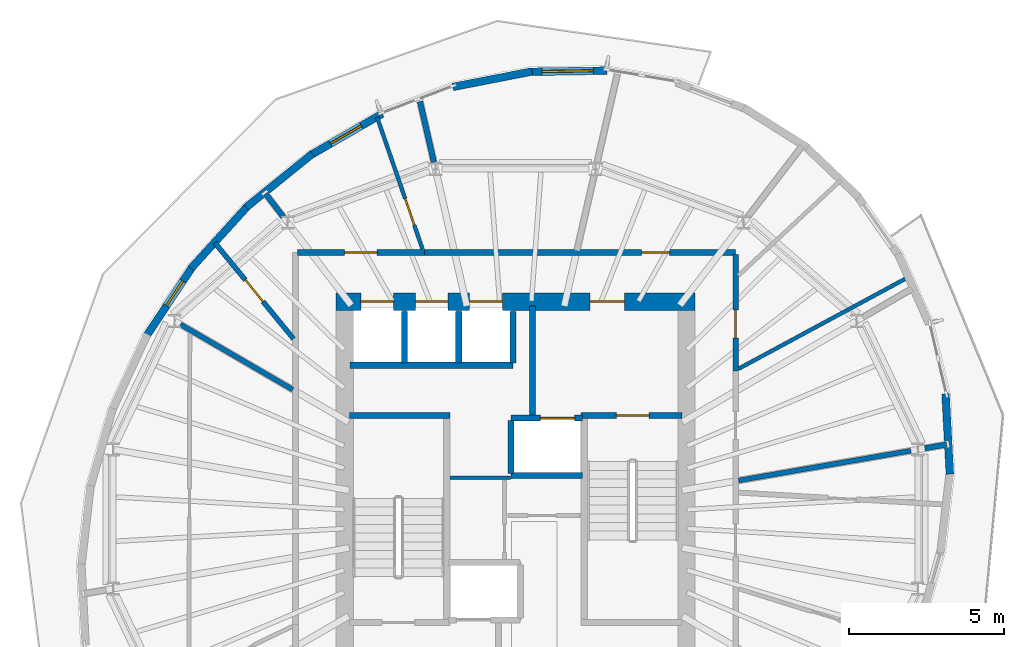
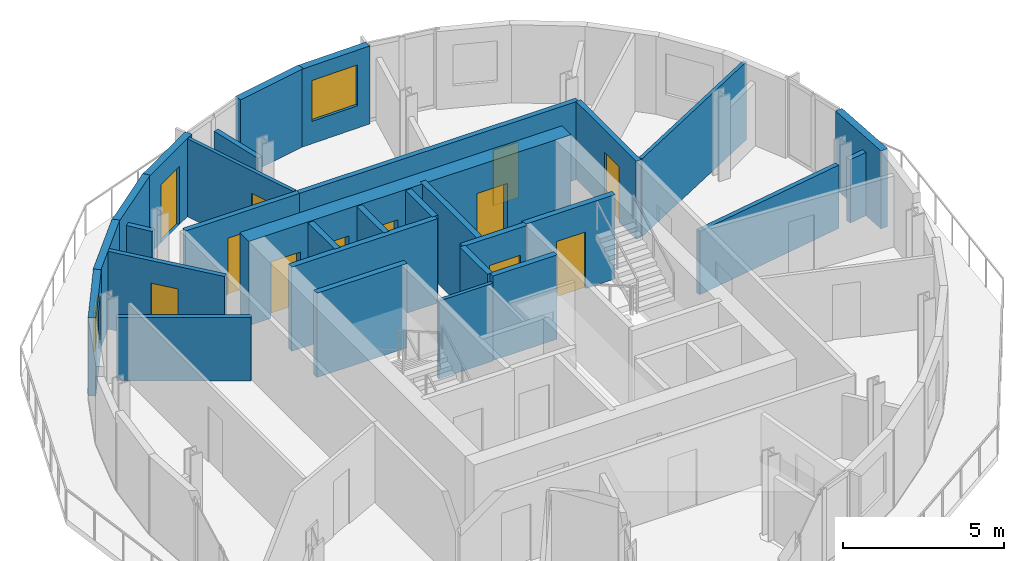
# One storey, part 6 of 11: 30 walls, 12 doors, 2 windows, 14 openings.
"""IFC4 building model written with IfcOpenShell, lengths in metres."""

from ifc_helpers import new_model, si_unit, direction, frame, frame_2d, origin, place, context, subcontext, project, spatial, rectangle, extrude, material, layer, layer_set, type_object, element, fill, save


model = new_model("IFC4")

# Units and contexts
model_context = context("Model", 3, precision=1e-05, world=origin(), true_north=direction((0.0, 1.0)))
body_context = subcontext(model_context, "Body", "Model", "MODEL_VIEW")
ifc_project = project(units=[si_unit("LENGTHUNIT", "METRE"), si_unit("AREAUNIT", "SQUARE_METRE"), si_unit("VOLUMEUNIT", "CUBIC_METRE"), si_unit("PLANEANGLEUNIT", "RADIAN"), si_unit("MASSUNIT", "GRAM", prefix="KILO")], contexts=[model_context])

# Site, building, storey
site_placement = place(None, origin())
site = spatial("IfcSite", under=ifc_project, at=site_placement, CompositionType="ELEMENT")
building_placement = place(site_placement, origin())
building = spatial("IfcBuilding", under=site, at=building_placement, Name="Veldorim Arch Residences", CompositionType="ELEMENT")
storey_placement = place(building_placement, frame((0.0, 0.0, 207.840087890625)))
storey = spatial("IfcBuildingStorey", under=building, at=storey_placement, Name="L62", CompositionType="ELEMENT", Elevation=207.840087890625)

# Walls
ifc_material_1 = material(Name="Acoustic Gypsum Board", Category="gypsum")
ifc_layer_1 = layer(ifc_material_1, 0.125, Name="Acoustic Stud Room Partition Wall 125")
ifc_layer_set_1 = layer_set([ifc_layer_1], Name="Acoustic Gypsum Board")
wall_type_1 = type_object("IfcWallType", Name="Acoustic Stud Room Partition Wall 125", PredefinedType="PARTITIONING", material=ifc_layer_set_1)
wall_1_placement = place(storey_placement, frame((29.889892578125, 25.330078125, 0.0), z_axis=(0.0, 0.0, 1.0), x_axis=(1.0, 0.0, 0.0)))
element("IfcWall", 1, at=wall_1_placement, inside=storey, type_object=wall_type_1, Name="L62 interior wall WL-CA-L62-N", PredefinedType="PARTITIONING", context=body_context, shape_type="SweptSolid", body=[
    extrude(rectangle(XDim=1.940185546875, YDim=0.125, at=frame_2d((0.97021484375, 0.0))), origin(), (0.0, 0.0, 1.0), 2.954833984375),
])
wall_2_placement = place(storey_placement, frame((44.6318359375, 31.780029296875, 0.0), z_axis=(0.0, 0.0, 1.0), x_axis=(-0.880108530436, -0.474772550442, 0.0)))
element("IfcWall", 2, at=wall_2_placement, inside=storey, type_object=wall_type_1, Name="L62 interior wall WL-RES-L62-016", PredefinedType="PARTITIONING", context=body_context, shape_type="SweptSolid", body=[
    extrude(rectangle(XDim=6.188232421875, YDim=0.125, at=frame_2d((3.09423828125, 0.0))), origin(), (0.0, 0.0, 1.0), 2.954833984375),
])

# Wall, opening, door
wall_3_placement = place(storey_placement, frame((27.544921875, 36.93408203125, 0.0), z_axis=(0.0, 0.0, 1.0), x_axis=(0.325683667498, -0.945478793377, 0.0)))
wall_3 = element("IfcWall", 3, at=wall_3_placement, inside=storey, type_object=wall_type_1, Name="L62 interior wall WL-RES-L62-018", PredefinedType="PARTITIONING", context=body_context, shape_type="SweptSolid", body=[
    extrude(rectangle(XDim=4.485107421875, YDim=0.125, at=frame_2d((2.24267578125, 0.0))), origin(), (0.0, 0.0, 1.0), 2.954833984375),
])
opening_1_placement = place(wall_3_placement, frame((2.772705078125, 0.0, 0.0)))
opening_1 = element("IfcOpeningElement", 4, at=opening_1_placement, cuts=wall_3, Name="Opening DR-INT", PredefinedType="OPENING", context=body_context, shape_type="SweptSolid", body=[
    extrude(rectangle(XDim=0.89990234375, YDim=2.10009765625, at=frame_2d((0.449951171875, 1.050048828125))), frame((0.0, 0.072509765625, 0.0), z_axis=(0.0, -1.0, 0.0), x_axis=(1.0, 0.0, 0.0)), (0.0, 0.0, 1.0), 0.14501953125),
])
ifc_material_2 = material(Name="Engineered Timber", Category="wood")
door_type_1 = type_object("IfcDoorType", Name="Apartment Internal Room Timber Door 900x2100", OperationType="SINGLE_SWING_LEFT", PredefinedType="DOOR", material=ifc_material_2)
door_1_placement = place(opening_1_placement, origin())
door_1 = element("IfcDoor", 5, at=door_1_placement, inside=storey, type_object=door_type_1, Name="L62 interior door DR-RES-L62-011", OperationType="SINGLE_SWING_LEFT", OverallHeight=2.10009765625, OverallWidth=0.89990234375, PredefinedType="DOOR", context=body_context, shape_type="SweptSolid", body=[
    extrude(rectangle(XDim=0.89990234375, YDim=2.10009765625, at=frame_2d((0.449951171875, 1.050048828125))), frame((0.0, 0.02490234375, 0.0), z_axis=(0.0, -1.0, 0.0), x_axis=(1.0, 0.0, 0.0)), (0.0, 0.0, 1.0), 0.050048828125),
])
fill(opening_1, door_1)

# Walls
ifc_material_3 = material(Name="Lightweight Masonry Block & Gypsum", Category="masonry")
ifc_layer_2 = layer(ifc_material_3, 0.179931640625, Name="Compartment & Corridor Fire-Rated Party Wall 180")
ifc_layer_set_2 = layer_set([ifc_layer_2], Name="Lightweight Masonry Block & Gypsum")
wall_type_2 = type_object("IfcWallType", Name="Compartment & Corridor Fire-Rated Party Wall 180", PredefinedType="PARTITIONING", material=ifc_layer_set_2)
wall_4_placement = place(storey_placement, frame((45.172607421875, 26.27880859375, 0.0), z_axis=(0.0, 0.0, 1.0), x_axis=(0.985352727868, 0.170528594914, 0.0)))
element("IfcWall", 6, at=wall_4_placement, inside=storey, type_object=wall_type_2, Name="L62 interior wall WL-PIER-L62-01", PredefinedType="PARTITIONING", context=body_context, shape_type="SweptSolid", body=[
    extrude(rectangle(XDim=0.710205078125, YDim=0.179931640625, at=frame_2d((0.35498046875, 0.0))), origin(), (0.0, 0.0, 1.0), 2.4033203125),
])
wall_5_placement = place(storey_placement, frame((29.37353515625, 35.483154296875, 0.0), z_axis=(0.0, 0.0, 1.0), x_axis=(-0.222930532859, 0.974834333371, 0.0)))
element("IfcWall", 7, at=wall_5_placement, inside=storey, type_object=wall_type_2, Name="L62 interior wall WL-PIER-L62-05", PredefinedType="PARTITIONING", context=body_context, shape_type="SweptSolid", body=[
    extrude(rectangle(XDim=2.00634765625, YDim=0.179931640625, at=frame_2d((1.003173828125, 0.0))), origin(), (0.0, 0.0, 1.0), 2.4033203125),
])
wall_6_placement = place(storey_placement, frame((24.526611328125, 33.727294921875, 0.0), z_axis=(0.0, 0.0, 1.0), x_axis=(-0.609219316709, 0.793001780672, 0.0)))
element("IfcWall", 8, at=wall_6_placement, inside=storey, type_object=wall_type_2, Name="L62 interior wall WL-PIER-L62-06", PredefinedType="PARTITIONING", context=body_context, shape_type="SweptSolid", body=[
    extrude(rectangle(XDim=0.9365234375, YDim=0.179931640625, at=frame_2d((0.46826171875, 0.0))), origin(), (0.0, 0.0, 1.0), 2.4033203125),
])

# Wall, opening, door
wall_7_placement = place(storey_placement, frame((29.0234375, 32.580078125, 0.0), z_axis=(0.0, 0.0, 1.0), x_axis=(1.0, 0.0, 0.0)))
wall_7 = element("IfcWall", 9, at=wall_7_placement, inside=storey, type_object=wall_type_2, Name="L62 interior wall WL-RES-L62-003", PredefinedType="PARTITIONING", context=body_context, shape_type="SweptSolid", body=[
    extrude(rectangle(XDim=10.056640625, YDim=0.179931640625, at=frame_2d((5.0283203125, 0.0))), origin(), (0.0, 0.0, 1.0), 2.954833984375),
])
opening_2_placement = place(wall_7_placement, frame((7.03759765625, 0.0, 0.0)))
opening_2 = element("IfcOpeningElement", 10, at=opening_2_placement, cuts=wall_7, Name="Opening DR-INT", PredefinedType="OPENING", context=body_context, shape_type="SweptSolid", body=[
    extrude(rectangle(XDim=0.89990234375, YDim=2.10009765625, at=frame_2d((0.449951171875, 1.050048828125))), frame((0.0, 0.099853515625, 0.0), z_axis=(0.0, -1.0, 0.0), x_axis=(1.0, 0.0, 0.0)), (0.0, 0.0, 1.0), 0.199951171875),
])
door_2_placement = place(opening_2_placement, origin())
door_2 = element("IfcDoor", 11, at=door_2_placement, inside=storey, type_object=door_type_1, Name="L62 interior door DR-RES-L62-006", OperationType="SINGLE_SWING_RIGHT", OverallHeight=2.10009765625, OverallWidth=0.89990234375, PredefinedType="DOOR", context=body_context, shape_type="SweptSolid", body=[
    extrude(rectangle(XDim=0.89990234375, YDim=2.10009765625, at=frame_2d((0.449951171875, 1.050048828125))), frame((0.0, 0.02490234375, 0.0), z_axis=(0.0, -1.0, 0.0), x_axis=(1.0, 0.0, 0.0)), (0.0, 0.0, 1.0), 0.050048828125),
])
fill(opening_2, door_2)

wall_8_placement = place(storey_placement, frame((39.080078125, 32.52001953125, 0.0), z_axis=(0.0, 0.0, 1.0), x_axis=(0.0, -1.0, 0.0)))
wall_8 = element("IfcWall", 12, at=wall_8_placement, inside=storey, type_object=wall_type_2, Name="L62 interior wall WL-RES-L62-004", PredefinedType="PARTITIONING", context=body_context, shape_type="SweptSolid", body=[
    extrude(rectangle(XDim=3.7548828125, YDim=0.179931640625, at=frame_2d((1.87744140625, 0.0))), origin(), (0.0, 0.0, 1.0), 2.954833984375),
])
opening_3_placement = place(wall_8_placement, frame((1.7978515625, 0.0, 0.0)))
opening_3 = element("IfcOpeningElement", 13, at=opening_3_placement, cuts=wall_8, Name="Opening DR-SVC", PredefinedType="OPENING", context=body_context, shape_type="SweptSolid", body=[
    extrude(rectangle(XDim=0.89990234375, YDim=2.10009765625, at=frame_2d((0.449951171875, 1.050048828125))), frame((0.0, 0.099853515625, 0.0), z_axis=(0.0, -1.0, 0.0), x_axis=(1.0, 0.0, 0.0)), (0.0, 0.0, 1.0), 0.199951171875),
])
ifc_material_4 = material(Name="Fire-Rated Steel", Category="steel")
door_type_2 = type_object("IfcDoorType", Name="Riser, Shelter & Plant Room Rated Steel Door 900x2100", OperationType="SINGLE_SWING_LEFT", PredefinedType="DOOR", material=ifc_material_4)
door_3_placement = place(opening_3_placement, origin())
door_3 = element("IfcDoor", 14, at=door_3_placement, inside=storey, type_object=door_type_2, Name="L62 interior door DR-RES-L62-007", OperationType="SINGLE_SWING_LEFT", OverallHeight=2.10009765625, OverallWidth=0.89990234375, PredefinedType="DOOR", context=body_context, shape_type="SweptSolid", body=[
    extrude(rectangle(XDim=0.89990234375, YDim=2.10009765625, at=frame_2d((0.449951171875, 1.050048828125))), frame((0.0, 0.02490234375, 0.0), z_axis=(0.0, -1.0, 0.0), x_axis=(1.0, 0.0, 0.0)), (0.0, 0.0, 1.0), 0.050048828125),
])
fill(opening_3, door_3)

wall_9_placement = place(storey_placement, frame((24.97998046875, 32.580078125, 0.0), z_axis=(0.0, 0.0, 1.0), x_axis=(1.0, 0.0, 0.0)))
wall_9 = element("IfcWall", 15, at=wall_9_placement, inside=storey, type_object=wall_type_2, Name="L62 interior wall WL-RES-L62-006", PredefinedType="PARTITIONING", context=body_context, shape_type="SweptSolid", body=[
    extrude(rectangle(XDim=4.084716796875, YDim=0.179931640625, at=frame_2d((2.04248046875, 0.0))), origin(), (0.0, 0.0, 1.0), 2.954833984375),
])
opening_4_placement = place(wall_9_placement, frame((1.517333984375, 0.0, 0.0)))
opening_4 = element("IfcOpeningElement", 16, at=opening_4_placement, cuts=wall_9, Name="Opening DR-FLT", PredefinedType="OPENING", context=body_context, shape_type="SweptSolid", body=[
    extrude(rectangle(XDim=1.050048828125, YDim=2.14990234375, at=frame_2d((0.52490234375, 1.074951171875))), frame((0.0, 0.099853515625, 0.0), z_axis=(0.0, -1.0, 0.0), x_axis=(1.0, 0.0, 0.0)), (0.0, 0.0, 1.0), 0.199951171875),
])
ifc_material_5 = material(Name="Fire-Rated Timber", Category="wood")
door_type_3 = type_object("IfcDoorType", Name="Apartment Entrance Solid-Core Fire Door 1050x2150", OperationType="SINGLE_SWING_LEFT", PredefinedType="DOOR", material=ifc_material_5)
door_4_placement = place(opening_4_placement, origin())
door_4 = element("IfcDoor", 17, at=door_4_placement, inside=storey, type_object=door_type_3, Name="L62 interior door DR-RES-L62-009", OperationType="SINGLE_SWING_LEFT", OverallHeight=2.14990234375, OverallWidth=1.050048828125, PredefinedType="DOOR", context=body_context, shape_type="SweptSolid", body=[
    extrude(rectangle(XDim=1.050048828125, YDim=2.14990234375, at=frame_2d((0.52490234375, 1.074951171875))), frame((0.0, 0.02490234375, 0.0), z_axis=(0.0, -1.0, 0.0), x_axis=(1.0, 0.0, 0.0)), (0.0, 0.0, 1.0), 0.050048828125),
])
fill(opening_4, door_4)

# Wall
ifc_material_6 = material(Name="Concrete C50/60", Category="concrete")
ifc_layer_3 = layer(ifc_material_6, 0.199951171875, Name="Core Stair & Lift Shaft Enclosure Wall 200")
ifc_layer_set_3 = layer_set([ifc_layer_3], Name="Concrete C50/60")
wall_type_3 = type_object("IfcWallType", Name="Core Stair & Lift Shaft Enclosure Wall 200", PredefinedType="SHEAR", material=ifc_layer_set_3)
wall_10_placement = place(storey_placement, frame((26.64990234375, 27.330078125, 0.0), z_axis=(0.0, 0.0, 1.0), x_axis=(1.0, 0.0, 0.0)))
element("IfcWall", 18, at=wall_10_placement, inside=storey, type_object=wall_type_3, Name="L62 shaft wall WL-SHF-L62-ST1-N", PredefinedType="SHEAR", context=body_context, shape_type="SweptSolid", body=[
    extrude(rectangle(XDim=3.239990234375, YDim=0.199951171875, at=frame_2d((1.6201171875, 0.0))), origin(), (0.0, 0.0, 1.0), 3.199951171875),
])

# Wall, opening, door
wall_11_placement = place(storey_placement, frame((34.110107421875, 27.330078125, 0.0), z_axis=(0.0, 0.0, 1.0), x_axis=(1.0, 0.0, 0.0)))
wall_11 = element("IfcWall", 19, at=wall_11_placement, inside=storey, type_object=wall_type_3, Name="L62 shaft wall WL-SHF-L62-ST2-N", PredefinedType="SHEAR", context=body_context, shape_type="SweptSolid", body=[
    extrude(rectangle(XDim=3.239990234375, YDim=0.199951171875, at=frame_2d((1.6201171875, 0.0))), origin(), (0.0, 0.0, 1.0), 3.199951171875),
])
opening_5_placement = place(wall_11_placement, frame((1.135009765625, 0.0, 0.0)))
opening_5 = element("IfcOpeningElement", 20, at=opening_5_placement, cuts=wall_11, Name="Opening DR-ST", PredefinedType="OPENING", context=body_context, shape_type="SweptSolid", body=[
    extrude(rectangle(XDim=1.050048828125, YDim=2.14990234375, at=frame_2d((0.52490234375, 1.074951171875))), frame((0.0, 0.10986328125, 0.0), z_axis=(0.0, -1.0, 0.0), x_axis=(1.0, 0.0, 0.0)), (0.0, 0.0, 1.0), 0.219970703125),
])
ifc_material_7 = material(Name="Fire-Rated Steel", Category="steel")
door_type_4 = type_object("IfcDoorType", Name="Exit Staircase Self-Closing Fire Door 1050x2150", OperationType="SINGLE_SWING_LEFT", PredefinedType="DOOR", material=ifc_material_7)
door_5_placement = place(opening_5_placement, origin())
door_5 = element("IfcDoor", 21, at=door_5_placement, inside=storey, type_object=door_type_4, Name="L62 interior door DR-L62-ST2", OperationType="SINGLE_SWING_RIGHT", OverallHeight=2.14990234375, OverallWidth=1.050048828125, PredefinedType="DOOR", context=body_context, shape_type="SweptSolid", body=[
    extrude(rectangle(XDim=1.050048828125, YDim=2.14990234375, at=frame_2d((0.52490234375, 1.074951171875))), frame((0.0, 0.02490234375, 0.0), z_axis=(0.0, -1.0, 0.0), x_axis=(1.0, 0.0, 0.0)), (0.0, 0.0, 1.0), 0.050048828125),
])
fill(opening_5, door_5)

# Wall
wall_12_placement = place(storey_placement, frame((32.550048828125, 27.35009765625, 0.0), z_axis=(0.0, 0.0, 1.0), x_axis=(0.0, 1.0, 0.0)))
element("IfcWall", 22, at=wall_12_placement, inside=storey, type_object=wall_type_3, Name="L62 shaft wall WL-FFL2-L62-W", PredefinedType="SHEAR", context=body_context, shape_type="SweptSolid", body=[
    extrude(rectangle(XDim=3.5, YDim=0.199951171875, at=frame_2d((1.75, 0.0))), origin(), (0.0, 0.0, 1.0), 3.199951171875),
])

# Wall, opening, door
wall_13_placement = place(storey_placement, frame((31.85009765625, 27.25, 0.0), z_axis=(0.0, 0.0, 1.0), x_axis=(1.0, 0.0, 0.0)))
wall_13 = element("IfcWall", 23, at=wall_13_placement, inside=storey, type_object=wall_type_3, Name="L62 shaft wall WL-FL02-L62-N", PredefinedType="SHEAR", context=body_context, shape_type="SweptSolid", body=[
    extrude(rectangle(XDim=2.2998046875, YDim=0.199951171875, at=frame_2d((1.14990234375, 0.0))), origin(), (0.0, 0.0, 1.0), 3.199951171875),
])
opening_6_placement = place(wall_13_placement, frame((0.949951171875, 0.0, 0.0)))
opening_6 = element("IfcOpeningElement", 24, at=opening_6_placement, cuts=wall_13, Name="Opening LD-FF", PredefinedType="OPENING", context=body_context, shape_type="SweptSolid", body=[
    extrude(rectangle(XDim=1.10009765625, YDim=2.14990234375, at=frame_2d((0.550048828125, 1.074951171875))), frame((0.0, 0.10986328125, 0.0), z_axis=(0.0, -1.0, 0.0), x_axis=(1.0, 0.0, 0.0)), (0.0, 0.0, 1.0), 0.219970703125),
])
ifc_material_8 = material(Name="Stainless Steel", Category="steel")
door_type_5 = type_object("IfcDoorType", Name="Firefighting Lift Bi-Parting Sliding Landing Door 1100x2150", OperationType="DOUBLE_DOOR_SLIDING", PredefinedType="DOOR", material=ifc_material_8)
door_6_placement = place(opening_6_placement, origin())
door_6 = element("IfcDoor", 25, at=door_6_placement, inside=storey, type_object=door_type_5, Name="L62 lift landing door LD-L62-FL02", OperationType="DOUBLE_DOOR_SLIDING", OverallHeight=2.14990234375, OverallWidth=1.10009765625, PredefinedType="DOOR", context=body_context, shape_type="SweptSolid", body=[
    extrude(rectangle(XDim=1.10009765625, YDim=2.14990234375, at=frame_2d((0.550048828125, 1.074951171875))), frame((0.0, 0.02490234375, 0.0), z_axis=(0.0, -1.0, 0.0), x_axis=(1.0, 0.0, 0.0)), (0.0, 0.0, 1.0), 0.050048828125),
])
fill(opening_6, door_6)

# Walls
wall_14_placement = place(storey_placement, frame((31.85009765625, 25.39990234375, 0.0), z_axis=(0.0, 0.0, 1.0), x_axis=(1.0, 0.0, 0.0)))
element("IfcWall", 26, at=wall_14_placement, inside=storey, type_object=wall_type_3, Name="L62 shaft wall WL-FL02-L62-S", PredefinedType="SHEAR", context=body_context, shape_type="SweptSolid", body=[
    extrude(rectangle(XDim=2.2998046875, YDim=0.199951171875, at=frame_2d((1.14990234375, 0.0))), origin(), (0.0, 0.0, 1.0), 3.199951171875),
])
wall_15_placement = place(storey_placement, frame((31.85009765625, 25.469970703125, 0.0), z_axis=(0.0, 0.0, 1.0), x_axis=(0.0, 1.0, 0.0)))
element("IfcWall", 27, at=wall_15_placement, inside=storey, type_object=wall_type_3, Name="L62 shaft wall WL-FL02-L62-W", PredefinedType="SHEAR", context=body_context, shape_type="SweptSolid", body=[
    extrude(rectangle(XDim=1.7099609375, YDim=0.199951171875, at=frame_2d((0.85498046875, 0.0))), origin(), (0.0, 0.0, 1.0), 3.199951171875),
])
wall_16_placement = place(storey_placement, frame((26.679931640625, 28.949951171875, 0.0), z_axis=(0.0, 0.0, 1.0), x_axis=(1.0, 0.0, 0.0)))
element("IfcWall", 28, at=wall_16_placement, inside=storey, type_object=wall_type_3, Name="L62 shaft wall WL-B3-L62-S", PredefinedType="SHEAR", context=body_context, shape_type="SweptSolid", body=[
    extrude(rectangle(XDim=5.239990234375, YDim=0.199951171875, at=frame_2d((2.6201171875, 0.0))), origin(), (0.0, 0.0, 1.0), 3.199951171875),
])
for number, where, z_axis, x_axis, name in (
    (29, (31.919921875, 29.02001953125, 0.0), (0.0, 0.0, 1.0), (0.0, 1.0, 0.0), "L62 shaft wall WL-B3-L62-E"),
    (30, (28.425048828125, 29.02001953125, 0.0), (0.0, 0.0, 1.0), (0.0, 1.0, 0.0), "L62 shaft wall WL-B3-L62-D1"),
    (31, (30.175048828125, 29.02001953125, 0.0), (0.0, 0.0, 1.0), (0.0, 1.0, 0.0), "L62 shaft wall WL-B3-L62-D2"),
):
    element("IfcWall", number, at=place(storey_placement, frame(where, z_axis=z_axis, x_axis=x_axis)), inside=storey, type_object=wall_type_3, Name=name, PredefinedType="SHEAR", context=body_context, shape_type="SweptSolid", body=[
        extrude(rectangle(XDim=1.659912109375, YDim=0.199951171875, at=frame_2d((0.830078125, 0.0))), origin(), (0.0, 0.0, 1.0), 3.199951171875),
    ])

# Wall, opening, window
ifc_material_9 = material(Name="Precast concrete C40/50", Category="concrete")
ifc_layer_4 = layer(ifc_material_9, 0.25, Name="Tower Terracotta Spandrel & Pier Wall 250")
ifc_layer_set_4 = layer_set([ifc_layer_4], Name="Precast concrete C40/50")
wall_type_4 = type_object("IfcWallType", Name="Tower Terracotta Spandrel & Pier Wall 250", PredefinedType="SOLIDWALL", material=ifc_layer_set_4)
wall_17_placement = place(storey_placement, frame((32.4150390625, 38.39404296875, 0.0), z_axis=(0.0, 0.0, 1.0), x_axis=(0.999868796453, 0.016198453019, 0.0)))
wall_17 = element("IfcWall", 32, at=wall_17_placement, inside=storey, type_object=wall_type_4, Name="L62 terracotta facade wall 04", PredefinedType="SOLIDWALL", context=body_context, shape_type="SweptSolid", body=[
    extrude(rectangle(XDim=2.531982421875, YDim=0.25, at=frame_2d((1.26611328125, 0.0))), origin(), (0.0, 0.0, 1.0), 2.9599609375),
])
opening_7_placement = place(wall_17_placement, frame((0.44091796875, 0.0, 0.85009765625)))
opening_7 = element("IfcOpeningElement", 33, at=opening_7_placement, cuts=wall_17, Name="Opening WN-03", PredefinedType="OPENING", context=body_context, shape_type="SweptSolid", body=[
    extrude(rectangle(XDim=1.64990234375, YDim=1.550048828125, at=frame_2d((0.824951171875, 0.77490234375))), frame((0.0, 0.135009765625, 0.0), z_axis=(0.0, -1.0, 0.0), x_axis=(1.0, 0.0, 0.0)), (0.0, 0.0, 1.0), 0.27001953125),
])
ifc_material_10 = material(Name="Laminated Low-E Glass", Category="glass")
window_type_1 = type_object("IfcWindowType", Name="Residential Wide Window 1650x1550", PartitioningType="SINGLE_PANEL", PredefinedType="WINDOW", material=ifc_material_10)
window_1_placement = place(opening_7_placement, origin())
window_1 = element("IfcWindow", 34, at=window_1_placement, inside=storey, type_object=window_type_1, Name="L62 solar-control facade window 04", OverallHeight=1.550048828125, OverallWidth=1.64990234375, PartitioningType="SINGLE_PANEL", PredefinedType="WINDOW", context=body_context, shape_type="SweptSolid", body=[
    extrude(rectangle(XDim=1.64990234375, YDim=1.550048828125, at=frame_2d((0.824951171875, 0.77490234375))), frame((0.0, 0.030029296875, 0.0), z_axis=(0.0, -1.0, 0.0), x_axis=(1.0, 0.0, 0.0)), (0.0, 0.0, 1.0), 0.06005859375),
])
fill(opening_7, window_1)

# Wall
wall_18_placement = place(storey_placement, frame((29.982421875, 37.907958984375, 0.0), z_axis=(0.0, 0.0, 1.0), x_axis=(0.981387252987, 0.1920392139, 0.0)))
element("IfcWall", 35, at=wall_18_placement, inside=storey, type_object=wall_type_4, Name="L62 terracotta facade wall 05", PredefinedType="SOLIDWALL", context=body_context, shape_type="SweptSolid", body=[
    extrude(rectangle(XDim=2.59228515625, YDim=0.25, at=frame_2d((1.296142578125, 0.0))), origin(), (0.0, 0.0, 1.0), 2.9599609375),
])

# Wall, opening, door
wall_19_placement = place(storey_placement, frame((25.36962890625, 35.695068359375, 0.0), z_axis=(0.0, 0.0, 1.0), x_axis=(0.865914653104, 0.500191776762, 0.0)))
wall_19 = element("IfcWall", 36, at=wall_19_placement, inside=storey, type_object=wall_type_4, Name="L62 terracotta facade wall 07", PredefinedType="SOLIDWALL", context=body_context, shape_type="SweptSolid", body=[
    extrude(rectangle(XDim=2.70166015625, YDim=0.25, at=frame_2d((1.350830078125, 0.0))), origin(), (0.0, 0.0, 1.0), 2.9599609375),
])
opening_8_placement = place(wall_19_placement, frame((0.77587890625, 0.0, 0.0)))
opening_8 = element("IfcOpeningElement", 37, at=opening_8_placement, cuts=wall_19, Name="Opening BL-DR", PredefinedType="OPENING", context=body_context, shape_type="SweptSolid", body=[
    extrude(rectangle(XDim=1.14990234375, YDim=2.199951171875, at=frame_2d((0.574951171875, 1.10009765625))), frame((0.0, 0.135009765625, 0.0), z_axis=(0.0, -1.0, 0.0), x_axis=(1.0, 0.0, 0.0)), (0.0, 0.0, 1.0), 0.27001953125),
])
ifc_material_11 = material(Name="Aluminium & Low-E Glass", Category="aluminium")
door_type_6 = type_object("IfcDoorType", Name="Glazed Planted Balcony Door 1150x2200", OperationType="SINGLE_SWING_LEFT", PredefinedType="DOOR", material=ifc_material_11)
door_7_placement = place(opening_8_placement, origin())
door_7 = element("IfcDoor", 38, at=door_7_placement, inside=storey, type_object=door_type_6, Name="L62 glazed outdoor terrace door BALC-1", OperationType="SINGLE_SWING_LEFT", OverallHeight=2.199951171875, OverallWidth=1.14990234375, PredefinedType="DOOR", context=body_context, shape_type="SweptSolid", body=[
    extrude(rectangle(XDim=1.14990234375, YDim=2.199951171875, at=frame_2d((0.574951171875, 1.10009765625))), frame((0.0, 0.02490234375, 0.0), z_axis=(0.0, -1.0, 0.0), x_axis=(1.0, 0.0, 0.0)), (0.0, 0.0, 1.0), 0.050048828125),
])
fill(opening_8, door_7)

# Walls
wall_20_placement = place(storey_placement, frame((23.330322265625, 34.03466796875, 0.0), z_axis=(0.0, 0.0, 1.0), x_axis=(0.777535429671, 0.628839133329, 0.0)))
element("IfcWall", 39, at=wall_20_placement, inside=storey, type_object=wall_type_4, Name="L62 terracotta facade wall 08", PredefinedType="SOLIDWALL", context=body_context, shape_type="SweptSolid", body=[
    extrude(rectangle(XDim=2.738525390625, YDim=0.25, at=frame_2d((1.369140625, 0.0))), origin(), (0.0, 0.0, 1.0), 2.9599609375),
])
wall_21_placement = place(storey_placement, frame((21.554443359375, 32.068603515625, 0.0), z_axis=(0.0, 0.0, 1.0), x_axis=(0.672668387979, 0.739944078842, 0.0)))
element("IfcWall", 40, at=wall_21_placement, inside=storey, type_object=wall_type_4, Name="L62 terracotta facade wall 09", PredefinedType="SOLIDWALL", context=body_context, shape_type="SweptSolid", body=[
    extrude(rectangle(XDim=2.758056640625, YDim=0.25, at=frame_2d((1.37890625, 0.0))), origin(), (0.0, 0.0, 1.0), 2.9599609375),
])

# Wall, opening, window
wall_22_placement = place(storey_placement, frame((20.09619140625, 29.8564453125, 0.0), z_axis=(0.0, 0.0, 1.0), x_axis=(0.553003487622, 0.83317893797, 0.0)))
wall_22 = element("IfcWall", 41, at=wall_22_placement, inside=storey, type_object=wall_type_4, Name="L62 terracotta facade wall 10", PredefinedType="SOLIDWALL", context=body_context, shape_type="SweptSolid", body=[
    extrude(rectangle(XDim=2.7578125, YDim=0.25, at=frame_2d((1.37890625, 0.0))), origin(), (0.0, 0.0, 1.0), 2.9599609375),
])
opening_9_placement = place(wall_22_placement, frame((1.216064453125, 0.0, 0.85009765625)))
opening_9 = element("IfcOpeningElement", 42, at=opening_9_placement, cuts=wall_22, Name="Opening WN-05", PredefinedType="OPENING", context=body_context, shape_type="SweptSolid", body=[
    extrude(rectangle(XDim=0.949951171875, YDim=1.449951171875, at=frame_2d((0.47509765625, 0.72509765625))), frame((0.0, 0.135009765625, 0.0), z_axis=(0.0, -1.0, 0.0), x_axis=(1.0, 0.0, 0.0)), (0.0, 0.0, 1.0), 0.27001953125),
])
ifc_material_12 = material(Name="Laminated Low-E Glass", Category="glass")
window_type_2 = type_object("IfcWindowType", Name="Residential Compact Casement Window 950x1450", PartitioningType="SINGLE_PANEL", PredefinedType="WINDOW", material=ifc_material_12)
window_2_placement = place(opening_9_placement, origin())
window_2 = element("IfcWindow", 43, at=window_2_placement, inside=storey, type_object=window_type_2, Name="L62 solar-control facade window 10", OverallHeight=1.449951171875, OverallWidth=0.949951171875, PartitioningType="SINGLE_PANEL", PredefinedType="WINDOW", context=body_context, shape_type="SweptSolid", body=[
    extrude(rectangle(XDim=0.949951171875, YDim=1.449951171875, at=frame_2d((0.47509765625, 0.72509765625))), frame((0.0, 0.030029296875, 0.0), z_axis=(0.0, -1.0, 0.0), x_axis=(1.0, 0.0, 0.0)), (0.0, 0.0, 1.0), 0.06005859375),
])
fill(opening_9, window_2)

# Wall
wall_23_placement = place(storey_placement, frame((45.83935546875, 28.034423828125, 0.0), z_axis=(0.0, 0.0, 1.0), x_axis=(0.053868666674, -0.998548029266, 0.0)))
element("IfcWall", 44, at=wall_23_placement, inside=storey, type_object=wall_type_4, Name="L62 terracotta facade wall 32", PredefinedType="SOLIDWALL", context=body_context, shape_type="SweptSolid", body=[
    extrude(rectangle(XDim=2.59228515625, YDim=0.25, at=frame_2d((1.296142578125, 0.0))), origin(), (0.0, 0.0, 1.0), 2.9599609375),
])

# Wall, openings, doors
ifc_material_13 = material(Name="Concrete C50/60", Category="concrete")
ifc_layer_5 = layer(ifc_material_13, 0.5, Name="Upper Central Core Shear Wall 560")
ifc_layer_set_5 = layer_set([ifc_layer_5], Name="Concrete C50/60")
wall_type_5 = type_object("IfcWallType", Name="Upper Central Core Shear Wall 560", PredefinedType="SHEAR", material=ifc_layer_set_5)
wall_24_placement = place(storey_placement, frame((26.219970703125, 31.0, 0.0), z_axis=(0.0, 0.0, 1.0), x_axis=(1.0, 0.0, 0.0)))
wall_24 = element("IfcWall", 45, at=wall_24_placement, inside=storey, type_object=wall_type_5, Name="L62 central core north shear wall", PredefinedType="SHEAR", context=body_context, shape_type="SweptSolid", body=[
    extrude(rectangle(XDim=11.56005859375, YDim=0.56005859375, at=frame_2d((5.780029296875, 0.0))), origin(), (0.0, 0.0, 1.0), 3.199951171875),
])
opening_10_placement = place(wall_24_placement, frame((8.179931640625, 0.0, 0.0)))
opening_10 = element("IfcOpeningElement", 46, at=opening_10_placement, cuts=wall_24, Name="Opening DR-FFL", PredefinedType="OPENING", context=body_context, shape_type="SweptSolid", body=[
    extrude(rectangle(XDim=1.10009765625, YDim=2.14990234375, at=frame_2d((0.550048828125, 1.074951171875))), frame((0.0, 0.2900390625, 0.0), z_axis=(0.0, -1.0, 0.0), x_axis=(1.0, 0.0, 0.0)), (0.0, 0.0, 1.0), 0.580078125),
])
opening_11_placement = place(wall_24_placement, frame((0.804931640625, 0.0, 0.0)))
opening_11 = element("IfcOpeningElement", 47, at=opening_11_placement, cuts=wall_24, Name="Opening LD-PS", PredefinedType="OPENING", context=body_context, shape_type="SweptSolid", body=[
    extrude(rectangle(XDim=1.050048828125, YDim=2.14990234375, at=frame_2d((0.52490234375, 1.074951171875))), frame((0.0, 0.2900390625, 0.0), z_axis=(0.0, -1.0, 0.0), x_axis=(1.0, 0.0, 0.0)), (0.0, 0.0, 1.0), 0.580078125),
])
opening_12_placement = place(wall_24_placement, frame((2.554931640625, 0.0, 0.0)))
opening_12 = element("IfcOpeningElement", 48, at=opening_12_placement, cuts=wall_24, Name="Opening LD-PS", PredefinedType="OPENING", context=body_context, shape_type="SweptSolid", body=[
    extrude(rectangle(XDim=1.050048828125, YDim=2.14990234375, at=frame_2d((0.52490234375, 1.074951171875))), frame((0.0, 0.2900390625, 0.0), z_axis=(0.0, -1.0, 0.0), x_axis=(1.0, 0.0, 0.0)), (0.0, 0.0, 1.0), 0.580078125),
])
opening_13_placement = place(wall_24_placement, frame((4.304931640625, 0.0, 0.0)))
opening_13 = element("IfcOpeningElement", 49, at=opening_13_placement, cuts=wall_24, Name="Opening LD-PS", PredefinedType="OPENING", context=body_context, shape_type="SweptSolid", body=[
    extrude(rectangle(XDim=1.050048828125, YDim=2.14990234375, at=frame_2d((0.52490234375, 1.074951171875))), frame((0.0, 0.2900390625, 0.0), z_axis=(0.0, -1.0, 0.0), x_axis=(1.0, 0.0, 0.0)), (0.0, 0.0, 1.0), 0.580078125),
])
ifc_material_14 = material(Name="Fire-Rated Steel & Vision Glass", Category="steel")
door_type_7 = type_object("IfcDoorType", Name="Firefighting Lobby Smoke-Stop Fire Door 1100x2150", OperationType="SINGLE_SWING_LEFT", PredefinedType="DOOR", material=ifc_material_14)
door_8_placement = place(opening_10_placement, origin())
door_8 = element("IfcDoor", 50, at=door_8_placement, inside=storey, type_object=door_type_7, Name="L62 interior door DR-L62-FFL2", OperationType="SINGLE_SWING_LEFT", OverallHeight=2.14990234375, OverallWidth=1.10009765625, PredefinedType="DOOR", context=body_context, shape_type="SweptSolid", body=[
    extrude(rectangle(XDim=1.10009765625, YDim=2.14990234375, at=frame_2d((0.550048828125, 1.074951171875))), frame((0.0, 0.02490234375, 0.0), z_axis=(0.0, -1.0, 0.0), x_axis=(1.0, 0.0, 0.0)), (0.0, 0.0, 1.0), 0.050048828125),
])
fill(opening_10, door_8)
ifc_material_15 = material(Name="Stainless Steel", Category="steel")
door_type_8 = type_object("IfcDoorType", Name="Passenger Lift Bi-Parting Sliding Landing Door 1050x2150", OperationType="DOUBLE_DOOR_SLIDING", PredefinedType="DOOR", material=ifc_material_15)
door_9_placement = place(opening_11_placement, origin())
door_9 = element("IfcDoor", 51, at=door_9_placement, inside=storey, type_object=door_type_8, Name="L62 lift landing door LD-L62-PL-08", OperationType="DOUBLE_DOOR_SLIDING", OverallHeight=2.14990234375, OverallWidth=1.050048828125, PredefinedType="DOOR", context=body_context, shape_type="SweptSolid", body=[
    extrude(rectangle(XDim=1.050048828125, YDim=2.14990234375, at=frame_2d((0.52490234375, 1.074951171875))), frame((0.0, 0.02490234375, 0.0), z_axis=(0.0, -1.0, 0.0), x_axis=(1.0, 0.0, 0.0)), (0.0, 0.0, 1.0), 0.050048828125),
])
fill(opening_11, door_9)
door_10_placement = place(opening_12_placement, origin())
door_10 = element("IfcDoor", 52, at=door_10_placement, inside=storey, type_object=door_type_8, Name="L62 lift landing door LD-L62-PL-09", OperationType="DOUBLE_DOOR_SLIDING", OverallHeight=2.14990234375, OverallWidth=1.050048828125, PredefinedType="DOOR", context=body_context, shape_type="SweptSolid", body=[
    extrude(rectangle(XDim=1.050048828125, YDim=2.14990234375, at=frame_2d((0.52490234375, 1.074951171875))), frame((0.0, 0.02490234375, 0.0), z_axis=(0.0, -1.0, 0.0), x_axis=(1.0, 0.0, 0.0)), (0.0, 0.0, 1.0), 0.050048828125),
])
fill(opening_12, door_10)
door_11_placement = place(opening_13_placement, origin())
door_11 = element("IfcDoor", 53, at=door_11_placement, inside=storey, type_object=door_type_8, Name="L62 lift landing door LD-L62-PL-10", OperationType="DOUBLE_DOOR_SLIDING", OverallHeight=2.14990234375, OverallWidth=1.050048828125, PredefinedType="DOOR", context=body_context, shape_type="SweptSolid", body=[
    extrude(rectangle(XDim=1.050048828125, YDim=2.14990234375, at=frame_2d((0.52490234375, 1.074951171875))), frame((0.0, 0.02490234375, 0.0), z_axis=(0.0, -1.0, 0.0), x_axis=(1.0, 0.0, 0.0)), (0.0, 0.0, 1.0), 0.050048828125),
])
fill(opening_13, door_11)

# Wall
ifc_material_16 = material(Name="Moisture-Resistant Gypsum & Stud", Category="gypsum")
ifc_layer_6 = layer(ifc_material_16, 0.159912109375, Name="Wet-Area Moisture-Resistant Plumbing Wall 160")
ifc_layer_set_6 = layer_set([ifc_layer_6], Name="Moisture-Resistant Gypsum & Stud")
wall_type_6 = type_object("IfcWallType", Name="Wet-Area Moisture-Resistant Plumbing Wall 160", PredefinedType="PLUMBINGWALL", material=ifc_layer_set_6)
wall_25_placement = place(storey_placement, frame((39.178466796875, 25.24169921875, 0.0), z_axis=(0.0, 0.0, 1.0), x_axis=(0.985362001286, 0.170475002336, 0.0)))
element("IfcWall", 54, at=wall_25_placement, inside=storey, type_object=wall_type_6, Name="L62 interior wall WL-RES-L62-013", PredefinedType="PLUMBINGWALL", context=body_context, shape_type="SweptSolid", body=[
    extrude(rectangle(XDim=5.626708984375, YDim=0.159912109375, at=frame_2d((2.8134765625, 0.0))), origin(), (0.0, 0.0, 1.0), 2.4033203125),
])

# Wall, opening, door
wall_26_placement = place(storey_placement, frame((24.856689453125, 29.80078125, 0.0), z_axis=(0.0, 0.0, 1.0), x_axis=(-0.63363022253, 0.773636052092, 0.0)))
wall_26 = element("IfcWall", 55, at=wall_26_placement, inside=storey, type_object=wall_type_6, Name="L62 interior wall WL-RES-L62-017", PredefinedType="PLUMBINGWALL", context=body_context, shape_type="SweptSolid", body=[
    extrude(rectangle(XDim=3.996826171875, YDim=0.159912109375, at=frame_2d((1.99853515625, 0.0))), origin(), (0.0, 0.0, 1.0), 2.954833984375),
])
opening_14_placement = place(wall_26_placement, frame((1.54833984375, 0.0, 0.0)))
opening_14 = element("IfcOpeningElement", 56, at=opening_14_placement, cuts=wall_26, Name="Opening DR-WC", PredefinedType="OPENING", context=body_context, shape_type="SweptSolid", body=[
    extrude(rectangle(XDim=0.89990234375, YDim=2.10009765625, at=frame_2d((0.449951171875, 1.050048828125))), frame((0.0, 0.08984375, 0.0), z_axis=(0.0, -1.0, 0.0), x_axis=(1.0, 0.0, 0.0)), (0.0, 0.0, 1.0), 0.179931640625),
])
ifc_material_17 = material(Name="Laminate Timber", Category="wood")
door_type_9 = type_object("IfcDoorType", Name="Bathroom & Accessible WC Moisture-Sealed Door 900x2100", OperationType="SINGLE_SWING_LEFT", PredefinedType="DOOR", material=ifc_material_17)
door_12_placement = place(opening_14_placement, origin())
door_12 = element("IfcDoor", 57, at=door_12_placement, inside=storey, type_object=door_type_9, Name="L62 interior door DR-RES-L62-010", OperationType="SINGLE_SWING_RIGHT", OverallHeight=2.10009765625, OverallWidth=0.89990234375, PredefinedType="DOOR", context=body_context, shape_type="SweptSolid", body=[
    extrude(rectangle(XDim=0.89990234375, YDim=2.10009765625, at=frame_2d((0.449951171875, 1.050048828125))), frame((0.0, 0.02490234375, 0.0), z_axis=(0.0, -1.0, 0.0), x_axis=(1.0, 0.0, 0.0)), (0.0, 0.0, 1.0), 0.050048828125),
])
fill(opening_14, door_12)

# Wall
wall_27_placement = place(storey_placement, frame((24.83349609375, 28.164306640625, 0.0), z_axis=(0.0, 0.0, 1.0), x_axis=(-0.864609810713, 0.502443902559, 0.0)))
element("IfcWall", 58, at=wall_27_placement, inside=storey, type_object=wall_type_6, Name="L62 interior wall WL-RES-L62-019", PredefinedType="PLUMBINGWALL", context=body_context, shape_type="SweptSolid", body=[
    extrude(rectangle(XDim=4.18212890625, YDim=0.159912109375, at=frame_2d((2.091064453125, 0.0))), origin(), (0.0, 0.0, 1.0), 2.4033203125),
])

save(model, "model.ifc")
